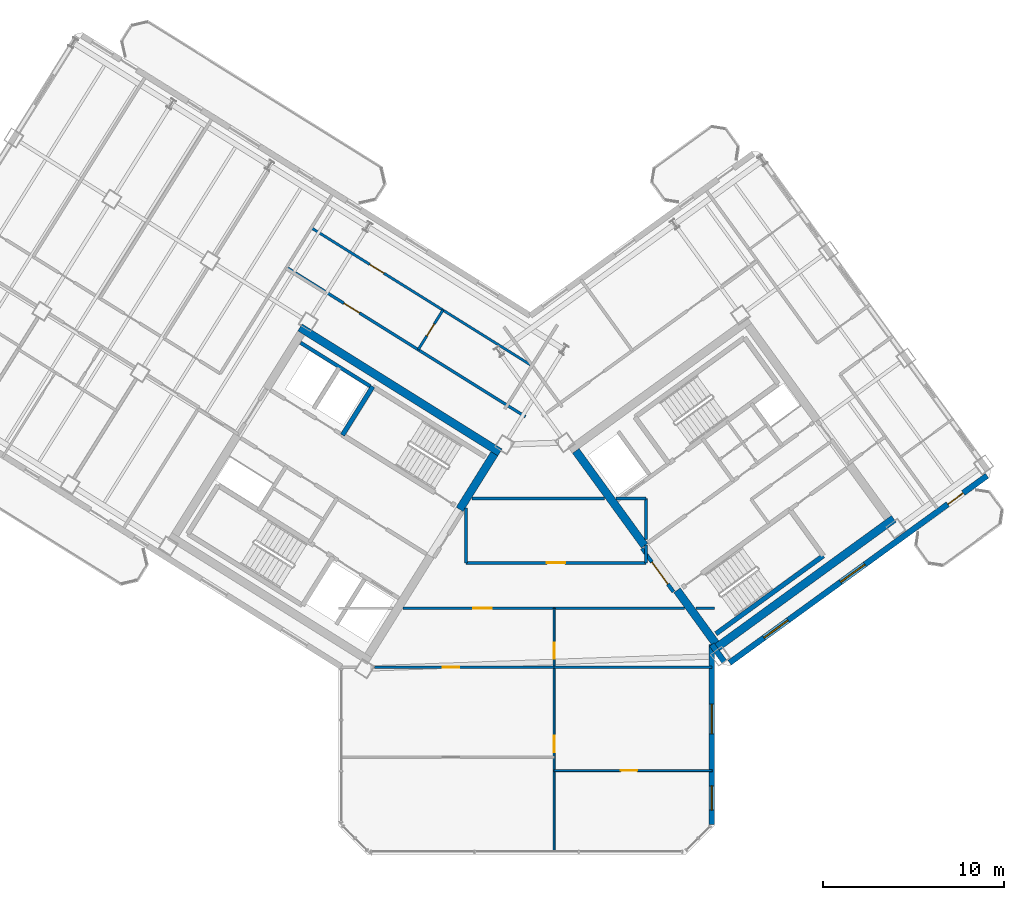
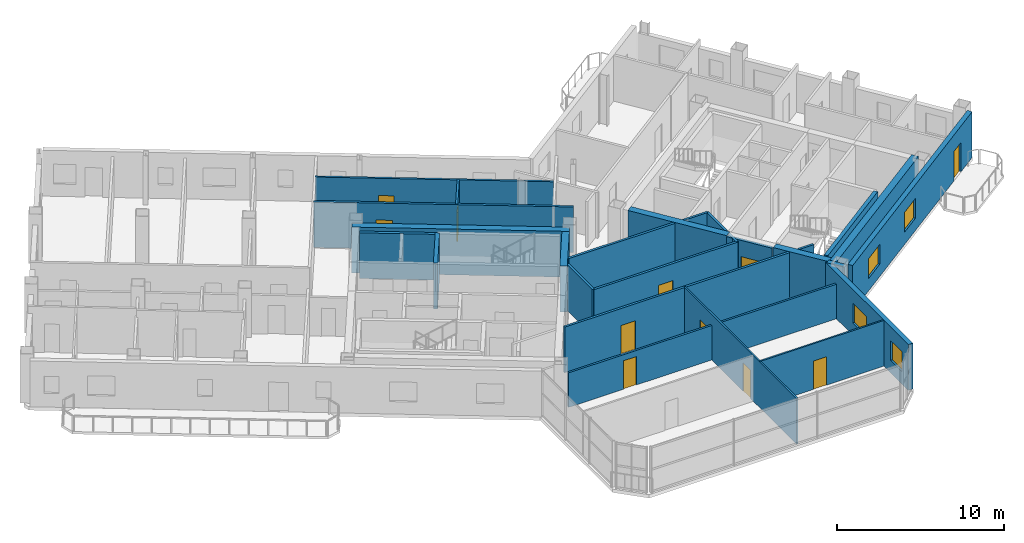
# One storey, part 13 of 20: 27 walls, 11 doors, 4 windows, 15 openings.
"""IFC4 building model written with IfcOpenShell, lengths in metres."""

from ifc_helpers import new_model, si_unit, direction, frame, frame_2d, origin, place, context, subcontext, project, spatial, rectangle, extrude, source, transform, mapped, material, layer, layer_set, type_object, element, fill, save


model = new_model("IFC4")

# Units and contexts
model_context = context("Model", 3, precision=1e-05, world=origin(), true_north=direction((0.0, 1.0)))
body_context = subcontext(model_context, "Body", "Model", "MODEL_VIEW")
ifc_project = project(units=[si_unit("LENGTHUNIT", "METRE"), si_unit("AREAUNIT", "SQUARE_METRE"), si_unit("VOLUMEUNIT", "CUBIC_METRE"), si_unit("PLANEANGLEUNIT", "RADIAN"), si_unit("MASSUNIT", "GRAM", prefix="KILO")], contexts=[model_context])

# Site, building, storey
site_placement = place(None, origin())
site = spatial("IfcSite", under=ifc_project, at=site_placement, CompositionType="ELEMENT")
building_placement = place(site_placement, origin())
building = spatial("IfcBuilding", under=site, at=building_placement, Name="Tlacorven Tower", CompositionType="ELEMENT")
storey_placement = place(building_placement, frame((0.0, 0.0, 211.199951171875)))
storey = spatial("IfcBuildingStorey", under=building, at=storey_placement, Name="L53", CompositionType="ELEMENT", Elevation=211.199951171875)

# Walls
ifc_material_1 = material(Name="Concrete C50/60", Category="concrete")
ifc_layer_1 = layer(ifc_material_1, 0.449951171875)
ifc_layer_set_1 = layer_set([ifc_layer_1], Name="Concrete C50/60")
wall_type_1 = type_object("IfcWallType", Name="WL-COR-450", PredefinedType="SHEAR", material=ifc_layer_set_1)
wall_1_placement = place(storey_placement, frame((40.53076171875, 24.036376953125, 0.0), z_axis=(0.0, 0.0, 1.0), x_axis=(-0.848048787466, 0.529918157905, 0.0)))
element("IfcWall", 1, at=wall_1_placement, inside=storey, type_object=wall_type_1, Name="L53 W core shear wall S1", PredefinedType="SHEAR", context=body_context, shape_type="SweptSolid", body=[
    extrude(rectangle(XDim=13.0400390625, YDim=0.449951171875, at=frame_2d((6.52001953125, 0.0))), origin(), (0.0, 0.0, 1.0), 3.35009765625),
])
wall_2_placement = place(storey_placement, frame((40.220703125, 23.96484375, 0.0), z_axis=(0.0, 0.0, 1.0), x_axis=(-0.529902075036, -0.848058836916, 0.0)))
element("IfcWall", 2, at=wall_2_placement, inside=storey, type_object=wall_type_1, Name="L53 W core end wall E1.1", PredefinedType="SHEAR", context=body_context, shape_type="SweptSolid", body=[
    extrude(rectangle(XDim=3.625, YDim=0.449951171875, at=frame_2d((1.8125, 0.0))), origin(), (0.0, 0.0, 1.0), 3.35009765625),
])
wall_3_placement = place(storey_placement, frame((52.3994140625, 13.169189453125, 0.0), z_axis=(0.0, 0.0, 1.0), x_axis=(0.809022352778, 0.587777877013, 0.0)))
element("IfcWall", 3, at=wall_3_placement, inside=storey, type_object=wall_type_1, Name="L53 E core shear wall S1", PredefinedType="SHEAR", context=body_context, shape_type="SweptSolid", body=[
    extrude(rectangle(XDim=12.239990234375, YDim=0.449951171875, at=frame_2d((6.1201171875, 0.0))), origin(), (0.0, 0.0, 1.0), 3.35009765625),
])
wall_4_placement = place(storey_placement, frame((52.44921875, 13.4833984375, 0.0), z_axis=(0.0, 0.0, 1.0), x_axis=(-0.587819244441, 0.808992296542, 0.0)))
element("IfcWall", 4, at=wall_4_placement, inside=storey, type_object=wall_type_1, Name="L53 E core end wall E1.1", PredefinedType="SHEAR", context=body_context, shape_type="SweptSolid", body=[
    extrude(rectangle(XDim=3.625, YDim=0.449951171875, at=frame_2d((1.8125, 0.0))), origin(), (0.0, 0.0, 1.0), 3.35009765625),
])
wall_5_placement = place(storey_placement, frame((48.525634765625, 18.883544921875, 0.0), z_axis=(0.0, 0.0, 1.0), x_axis=(-0.587774812919, 0.809024578921, 0.0)))
element("IfcWall", 5, at=wall_5_placement, inside=storey, type_object=wall_type_1, Name="L53 E core end wall E1.2", PredefinedType="SHEAR", context=body_context, shape_type="SweptSolid", body=[
    extrude(rectangle(XDim=6.47509765625, YDim=0.449951171875, at=frame_2d((3.237548828125, 0.0))), origin(), (0.0, 0.0, 1.0), 3.35009765625),
])

# Wall, opening, door
ifc_material_2 = material(Name="Gypsum plasterboard acoustic partition", Category="gypsum")
ifc_layer_2 = layer(ifc_material_2, 0.159912109375)
ifc_layer_set_2 = layer_set([ifc_layer_2], Name="Gypsum plasterboard acoustic partition")
wall_type_2 = type_object("IfcWallType", Name="WL-DEM-160", PredefinedType="PARTITIONING", material=ifc_layer_set_2)
wall_6_placement = place(storey_placement, frame((41.93603515625, 26.011962890625, 0.0), z_axis=(0.0, 0.0, 1.0), x_axis=(-0.848051154596, 0.529914369676, 0.0)))
wall_6 = element("IfcWall", 6, at=wall_6_placement, inside=storey, type_object=wall_type_2, Name="L53 partition 58", PredefinedType="PARTITIONING", context=body_context, shape_type="SweptSolid", body=[
    extrude(rectangle(XDim=15.56982421875, YDim=0.159912109375, at=frame_2d((7.784912109375, 0.0))), origin(), (0.0, 0.0, 1.0), 3.340087890625),
])
opening_1_placement = place(wall_6_placement, frame((10.830078125, 0.0, 0.0)))
opening_1 = element("IfcOpeningElement", 7, at=opening_1_placement, cuts=wall_6, Name="Opening D11", PredefinedType="OPENING", context=body_context, shape_type="SweptSolid", body=[
    extrude(rectangle(XDim=1.0, YDim=2.10009765625, at=frame_2d((0.5, 1.050048828125))), frame((0.0, 0.08984375, 0.0), z_axis=(0.0, -1.0, 0.0), x_axis=(1.0, 0.0, 0.0)), (0.0, 0.0, 1.0), 0.179931640625),
])
ifc_material_3 = material(Name="Fire-rated steel door assembly", Category="steel")
door_type_1 = type_object("IfcDoorType", Name="DR-FLT-FD60-1000", OperationType="NOTDEFINED", PredefinedType="DOOR", material=ifc_material_3)
shared_shape_1 = source(origin(), body_context, "Body", "SweptSolid", [
    extrude(rectangle(XDim=1.0, YDim=2.10009765625, at=frame_2d((0.5, 1.050048828125))), frame((0.0, 0.02490234375, 0.0), z_axis=(0.0, -1.0, 0.0), x_axis=(1.0, 0.0, 0.0)), (0.0, 0.0, 1.0), 0.050048828125),
])
door_1_placement = place(opening_1_placement, origin())
door_1 = element("IfcDoor", 8, at=door_1_placement, inside=storey, type_object=door_type_1, Name="L53 door 038", OperationType="SINGLE_SWING_RIGHT", OverallHeight=2.10009765625, OverallWidth=1.0, PredefinedType="DOOR", context=body_context, shape_type="MappedRepresentation", body=[
    mapped(shared_shape_1, transform((0.0, 0.0, 0.0), scale=1.0)),
])
fill(opening_1, door_1)

wall_7_placement = place(storey_placement, frame((35.178466796875, 15.419921875, 0.0), z_axis=(0.0, 0.0, 1.0), x_axis=(1.0, 0.0, 0.0)))
wall_7 = element("IfcWall", 9, at=wall_7_placement, inside=storey, type_object=wall_type_2, Name="L53 Knuckle Corridor South Wall", PredefinedType="PARTITIONING", context=body_context, shape_type="SweptSolid", body=[
    extrude(rectangle(XDim=15.55224609375, YDim=0.159912109375, at=frame_2d((7.776123046875, 0.0))), origin(), (0.0, 0.0, 1.0), 3.340087890625),
])
opening_2_placement = place(wall_7_placement, frame((3.884521484375, 0.0, 0.0)))
opening_2 = element("IfcOpeningElement", 10, at=opening_2_placement, cuts=wall_7, Name="Opening D11", PredefinedType="OPENING", context=body_context, shape_type="SweptSolid", body=[
    extrude(rectangle(XDim=1.0, YDim=2.10009765625, at=frame_2d((0.5, 1.050048828125))), frame((0.0, 0.08984375, 0.0), z_axis=(0.0, -1.0, 0.0), x_axis=(1.0, 0.0, 0.0)), (0.0, 0.0, 1.0), 0.179931640625),
])
door_2_placement = place(opening_2_placement, frame((1.0, 0.0, 0.0), z_axis=(0.0, 0.0, 1.0), x_axis=(-1.0, 0.0, 0.0)))
door_2 = element("IfcDoor", 11, at=door_2_placement, inside=storey, type_object=door_type_1, Name="L53 door 047", OperationType="SINGLE_SWING_LEFT", OverallHeight=2.10009765625, OverallWidth=1.0, PredefinedType="DOOR", context=body_context, shape_type="MappedRepresentation", body=[
    mapped(shared_shape_1, transform((0.0, 0.0, 0.0), scale=1.0)),
])
fill(opening_2, door_2)

# Wall
wall_8_placement = place(storey_placement, frame((51.353515625, 15.419921875, 0.0), z_axis=(0.0, 0.0, 1.0), x_axis=(1.0, 0.0, 0.0)))
element("IfcWall", 12, at=wall_8_placement, inside=storey, type_object=wall_type_2, Name="L53 Knuckle Corridor South Wall", PredefinedType="PARTITIONING", context=body_context, shape_type="SweptSolid", body=[
    extrude(rectangle(XDim=1.04638671875, YDim=0.159912109375, at=frame_2d((0.523193359375, 0.0))), origin(), (0.0, 0.0, 1.0), 3.340087890625),
])

# Wall, opening, door
wall_9_placement = place(storey_placement, frame((38.64990234375, 17.929931640625, 0.0), z_axis=(0.0, 0.0, 1.0), x_axis=(1.0, 0.0, 0.0)))
wall_9 = element("IfcWall", 13, at=wall_9_placement, inside=storey, type_object=wall_type_2, Name="L53 partition 64", PredefinedType="PARTITIONING", context=body_context, shape_type="SweptSolid", body=[
    extrude(rectangle(XDim=9.9501953125, YDim=0.159912109375, at=frame_2d((4.97509765625, 0.0))), origin(), (0.0, 0.0, 1.0), 3.340087890625),
])
opening_3_placement = place(wall_9_placement, frame((4.47509765625, 0.0, 0.0)))
opening_3 = element("IfcOpeningElement", 14, at=opening_3_placement, cuts=wall_9, Name="Opening D11", PredefinedType="OPENING", context=body_context, shape_type="SweptSolid", body=[
    extrude(rectangle(XDim=1.0, YDim=2.10009765625, at=frame_2d((0.5, 1.050048828125))), frame((0.0, 0.08984375, 0.0), z_axis=(0.0, -1.0, 0.0), x_axis=(1.0, 0.0, 0.0)), (0.0, 0.0, 1.0), 0.179931640625),
])
door_3_placement = place(opening_3_placement, origin())
door_3 = element("IfcDoor", 15, at=door_3_placement, inside=storey, type_object=door_type_1, Name="L53 door 041", OperationType="SINGLE_SWING_LEFT", OverallHeight=2.10009765625, OverallWidth=1.0, PredefinedType="DOOR", context=body_context, shape_type="MappedRepresentation", body=[
    mapped(shared_shape_1, transform((0.0, 0.0, 0.0), scale=1.0)),
])
fill(opening_3, door_3)

# Walls
wall_10_placement = place(storey_placement, frame((38.64990234375, 17.929931640625, 0.0), z_axis=(0.0, 0.0, 1.0), x_axis=(0.0, 1.0, 0.0)))
element("IfcWall", 16, at=wall_10_placement, inside=storey, type_object=wall_type_2, Name="L53 partition 65", PredefinedType="PARTITIONING", context=body_context, shape_type="SweptSolid", body=[
    extrude(rectangle(XDim=3.045654296875, YDim=0.159912109375, at=frame_2d((1.52294921875, 0.0))), origin(), (0.0, 0.0, 1.0), 3.340087890625),
])
wall_11_placement = place(storey_placement, frame((48.60009765625, 17.929931640625, 0.0), z_axis=(0.0, 0.0, 1.0), x_axis=(0.0, 1.0, 0.0)))
element("IfcWall", 17, at=wall_11_placement, inside=storey, type_object=wall_type_2, Name="L53 partition 66", PredefinedType="PARTITIONING", context=body_context, shape_type="SweptSolid", body=[
    extrude(rectangle(XDim=0.99267578125, YDim=0.159912109375, at=frame_2d((0.496337890625, 0.0))), origin(), (0.0, 0.0, 1.0), 3.340087890625),
])
wall_12_placement = place(storey_placement, frame((48.60009765625, 19.2099609375, 0.0), z_axis=(0.0, 0.0, 1.0), x_axis=(0.0, 1.0, 0.0)))
element("IfcWall", 18, at=wall_12_placement, inside=storey, type_object=wall_type_2, Name="L53 partition 66", PredefinedType="PARTITIONING", context=body_context, shape_type="SweptSolid", body=[
    extrude(rectangle(XDim=2.2900390625, YDim=0.159912109375, at=frame_2d((1.14501953125, 0.0))), origin(), (0.0, 0.0, 1.0), 3.340087890625),
])
wall_13_placement = place(storey_placement, frame((38.9775390625, 21.5, 0.0), z_axis=(0.0, 0.0, 1.0), x_axis=(1.0, 0.0, 0.0)))
element("IfcWall", 19, at=wall_13_placement, inside=storey, type_object=wall_type_2, Name="L53 partition 67", PredefinedType="PARTITIONING", context=body_context, shape_type="SweptSolid", body=[
    extrude(rectangle(XDim=7.335693359375, YDim=0.159912109375, at=frame_2d((3.66796875, 0.0))), origin(), (0.0, 0.0, 1.0), 3.340087890625),
])
wall_14_placement = place(storey_placement, frame((46.936279296875, 21.5, 0.0), z_axis=(0.0, 0.0, 1.0), x_axis=(1.0, 0.0, 0.0)))
element("IfcWall", 20, at=wall_14_placement, inside=storey, type_object=wall_type_2, Name="L53 partition 67", PredefinedType="PARTITIONING", context=body_context, shape_type="SweptSolid", body=[
    extrude(rectangle(XDim=1.663818359375, YDim=0.159912109375, at=frame_2d((0.83203125, 0.0))), origin(), (0.0, 0.0, 1.0), 3.340087890625),
])

# Wall, openings, door, windows
ifc_material_4 = material(Name="Precast concrete C45/55", Category="concrete")
ifc_layer_3 = layer(ifc_material_4, 0.320068359375)
ifc_layer_set_3 = layer_set([ifc_layer_3], Name="Precast concrete C45/55")
wall_type_3 = type_object("IfcWallType", Name="WL-EXT-320", PredefinedType="STANDARD", material=ifc_layer_set_3)
wall_15_placement = place(storey_placement, frame((67.45361328125, 22.746826171875, 0.0), z_axis=(0.0, 0.0, 1.0), x_axis=(-0.809021120468, -0.587779573171, 0.0)))
wall_15 = element("IfcWall", 21, at=wall_15_placement, inside=storey, type_object=wall_type_3, Name="L53 Masonry-Frame Recessed Facade Wall 6", PredefinedType="STANDARD", context=body_context, shape_type="SweptSolid", body=[
    extrude(rectangle(XDim=17.587646484375, YDim=0.320068359375, at=frame_2d((8.7939453125, 0.0))), origin(), (0.0, 0.0, 1.0), 3.35009765625),
])
opening_4_placement = place(wall_15_placement, frame((1.623779296875, 0.0, 0.0)))
opening_4 = element("IfcOpeningElement", 22, at=opening_4_placement, cuts=wall_15, Name="Opening D06", PredefinedType="OPENING", context=body_context, shape_type="SweptSolid", body=[
    extrude(rectangle(XDim=1.050048828125, YDim=2.14990234375, at=frame_2d((0.52490234375, 1.074951171875))), frame((0.0, 0.169921875, 0.0), z_axis=(0.0, -1.0, 0.0), x_axis=(1.0, 0.0, 0.0)), (0.0, 0.0, 1.0), 0.340087890625),
])
opening_5_placement = place(wall_15_placement, frame((8.34375, 0.0, 0.89990234375)))
opening_5 = element("IfcOpeningElement", 23, at=opening_5_placement, cuts=wall_15, Name="Opening WN07", PredefinedType="OPENING", context=body_context, shape_type="SweptSolid", body=[
    extrude(rectangle(XDim=1.64990234375, YDim=1.449951171875, at=frame_2d((0.824951171875, 0.72509765625))), frame((0.0, 0.169921875, 0.0), z_axis=(0.0, -1.0, 0.0), x_axis=(1.0, 0.0, 0.0)), (0.0, 0.0, 1.0), 0.340087890625),
])
opening_6_placement = place(wall_15_placement, frame((13.59375, 0.0, 0.89990234375)))
opening_6 = element("IfcOpeningElement", 24, at=opening_6_placement, cuts=wall_15, Name="Opening WN07", PredefinedType="OPENING", context=body_context, shape_type="SweptSolid", body=[
    extrude(rectangle(XDim=1.64990234375, YDim=1.449951171875, at=frame_2d((0.824951171875, 0.72509765625))), frame((0.0, 0.169921875, 0.0), z_axis=(0.0, -1.0, 0.0), x_axis=(1.0, 0.0, 0.0)), (0.0, 0.0, 1.0), 0.340087890625),
])
ifc_material_5 = material(Name="Powder-coated aluminium and timber door", Category="wood")
door_type_2 = type_object("IfcDoorType", Name="DR-EXT-BALC-1050", OperationType="NOTDEFINED", PredefinedType="DOOR", material=ifc_material_5)
shared_shape_2 = source(origin(), body_context, "Body", "SweptSolid", [
    extrude(rectangle(XDim=1.050048828125, YDim=2.14990234375, at=frame_2d((0.52490234375, 1.074951171875))), frame((0.0, 0.02490234375, 0.0), z_axis=(0.0, -1.0, 0.0), x_axis=(1.0, 0.0, 0.0)), (0.0, 0.0, 1.0), 0.050048828125),
])
door_4_placement = place(opening_4_placement, origin())
door_4 = element("IfcDoor", 25, at=door_4_placement, inside=storey, type_object=door_type_2, Name="L53 Outdoor Access Door BAL-L53-E-OUT", OperationType="SINGLE_SWING_LEFT", OverallHeight=2.14990234375, OverallWidth=1.050048828125, PredefinedType="DOOR", context=body_context, shape_type="MappedRepresentation", body=[
    mapped(shared_shape_2, transform((0.0, 0.0, 0.0), scale=1.0)),
])
fill(opening_4, door_4)
ifc_material_6 = material(Name="Dark solar low-E double glazing in anodised aluminium frame", Category="aluminium")
window_type_1 = type_object("IfcWindowType", Name="WN-APT-1650X1600", PartitioningType="SINGLE_PANEL", PredefinedType="WINDOW", material=ifc_material_6)
shared_shape_3 = source(origin(), body_context, "Body", "SweptSolid", [
    extrude(rectangle(XDim=1.64990234375, YDim=1.449951171875, at=frame_2d((0.824951171875, 0.72509765625))), frame((0.0, 0.030029296875, 0.0), z_axis=(0.0, -1.0, 0.0), x_axis=(1.0, 0.0, 0.0)), (0.0, 0.0, 1.0), 0.06005859375),
])
window_1_placement = place(opening_5_placement, origin())
window_1 = element("IfcWindow", 26, at=window_1_placement, inside=storey, type_object=window_type_1, Name="L53 Recessed Masonry-Frame Window L53-06.1", OverallHeight=1.449951171875, OverallWidth=1.64990234375, PartitioningType="SINGLE_PANEL", PredefinedType="WINDOW", context=body_context, shape_type="MappedRepresentation", body=[
    mapped(shared_shape_3, transform((0.0, 0.0, 0.0), scale=1.0)),
])
fill(opening_5, window_1)
window_2_placement = place(opening_6_placement, origin())
window_2 = element("IfcWindow", 27, at=window_2_placement, inside=storey, type_object=window_type_1, Name="L53 Recessed Masonry-Frame Window L53-06.2", OverallHeight=1.449951171875, OverallWidth=1.64990234375, PartitioningType="SINGLE_PANEL", PredefinedType="WINDOW", context=body_context, shape_type="MappedRepresentation", body=[
    mapped(shared_shape_3, transform((0.0, 0.0, 0.0), scale=1.0)),
])
fill(opening_6, window_2)

# Wall
wall_16_placement = place(storey_placement, frame((52.936767578125, 12.454833984375, 0.0), z_axis=(0.0, 0.0, 1.0), x_axis=(-0.587706324018, 0.809074333241, 0.0)))
element("IfcWall", 28, at=wall_16_placement, inside=storey, type_object=wall_type_3, Name="L53 Masonry-Frame Recessed Facade Wall 7", PredefinedType="STANDARD", context=body_context, shape_type="SweptSolid", body=[
    extrude(rectangle(XDim=1.185546875, YDim=0.320068359375, at=frame_2d((0.5927734375, 0.0))), origin(), (0.0, 0.0, 1.0), 3.35009765625),
])

# Wall, openings, windows
wall_17_placement = place(storey_placement, frame((52.239990234375, 13.4140625, 0.0), z_axis=(0.0, 0.0, 1.0), x_axis=(0.0, -1.0, 0.0)))
wall_17 = element("IfcWall", 29, at=wall_17_placement, inside=storey, type_object=wall_type_3, Name="L53 Masonry-Frame Recessed Facade Wall 8", PredefinedType="STANDARD", context=body_context, shape_type="SweptSolid", body=[
    extrude(rectangle(XDim=9.94775390625, YDim=0.320068359375, at=frame_2d((4.973876953125, 0.0))), origin(), (0.0, 0.0, 1.0), 3.35009765625),
])
opening_7_placement = place(wall_17_placement, frame((3.28662109375, 0.0, 0.89990234375)))
opening_7 = element("IfcOpeningElement", 30, at=opening_7_placement, cuts=wall_17, Name="Opening WN07", PredefinedType="OPENING", context=body_context, shape_type="SweptSolid", body=[
    extrude(rectangle(XDim=1.64990234375, YDim=1.449951171875, at=frame_2d((0.824951171875, 0.72509765625))), frame((0.0, 0.169921875, 0.0), z_axis=(0.0, -1.0, 0.0), x_axis=(1.0, 0.0, 0.0)), (0.0, 0.0, 1.0), 0.340087890625),
])
opening_8_placement = place(wall_17_placement, frame((7.808349609375, 0.0, 0.89990234375)))
opening_8 = element("IfcOpeningElement", 31, at=opening_8_placement, cuts=wall_17, Name="Opening WN08", PredefinedType="OPENING", context=body_context, shape_type="SweptSolid", body=[
    extrude(rectangle(XDim=1.35009765625, YDim=1.449951171875, at=frame_2d((0.675048828125, 0.72509765625))), frame((0.0, 0.169921875, 0.0), z_axis=(0.0, -1.0, 0.0), x_axis=(1.0, 0.0, 0.0)), (0.0, 0.0, 1.0), 0.340087890625),
])
window_3_placement = place(opening_7_placement, origin())
window_3 = element("IfcWindow", 32, at=window_3_placement, inside=storey, type_object=window_type_1, Name="L53 Recessed Masonry-Frame Window L53-08.1", OverallHeight=1.449951171875, OverallWidth=1.64990234375, PartitioningType="SINGLE_PANEL", PredefinedType="WINDOW", context=body_context, shape_type="MappedRepresentation", body=[
    mapped(shared_shape_3, transform((0.0, 0.0, 0.0), scale=1.0)),
])
fill(opening_7, window_3)
window_type_2 = type_object("IfcWindowType", Name="WN-APT-1350X1550", PartitioningType="SINGLE_PANEL", PredefinedType="WINDOW", material=ifc_material_6)
shared_shape_4 = source(origin(), body_context, "Body", "SweptSolid", [
    extrude(rectangle(XDim=1.35009765625, YDim=1.449951171875, at=frame_2d((0.675048828125, 0.72509765625))), frame((0.0, 0.030029296875, 0.0), z_axis=(0.0, -1.0, 0.0), x_axis=(1.0, 0.0, 0.0)), (0.0, 0.0, 1.0), 0.06005859375),
])
window_4_placement = place(opening_8_placement, origin())
window_4 = element("IfcWindow", 33, at=window_4_placement, inside=storey, type_object=window_type_2, Name="L53 Recessed Masonry-Frame Window L53-08.2", OverallHeight=1.449951171875, OverallWidth=1.35009765625, PartitioningType="SINGLE_PANEL", PredefinedType="WINDOW", context=body_context, shape_type="MappedRepresentation", body=[
    mapped(shared_shape_4, transform((0.0, 0.0, 0.0), scale=1.0)),
])
fill(opening_8, window_4)

# Wall, openings, doors
ifc_material_7 = material(Name="Gypsum plasterboard partition", Category="gypsum")
ifc_layer_4 = layer(ifc_material_7, 0.110107421875)
ifc_layer_set_4 = layer_set([ifc_layer_4], Name="Gypsum plasterboard partition")
wall_type_4 = type_object("IfcWallType", Name="WL-INT-110", PredefinedType="PARTITIONING", material=ifc_layer_set_4)
wall_18_placement = place(storey_placement, frame((43.52587890625, 1.9599609375, 0.0), z_axis=(0.0, 0.0, 1.0), x_axis=(0.0, 1.0, 0.0)))
wall_18 = element("IfcWall", 34, at=wall_18_placement, inside=storey, type_object=wall_type_4, Name="L53 partition 69", PredefinedType="PARTITIONING", context=body_context, shape_type="SweptSolid", body=[
    extrude(rectangle(XDim=13.4599609375, YDim=0.110107421875, at=frame_2d((6.72998046875, 0.0))), origin(), (0.0, 0.0, 1.0), 3.340087890625),
])
opening_9_placement = place(wall_18_placement, frame((5.5, 0.0, 0.0)))
opening_9 = element("IfcOpeningElement", 35, at=opening_9_placement, cuts=wall_18, Name="Opening D12", PredefinedType="OPENING", context=body_context, shape_type="SweptSolid", body=[
    extrude(rectangle(XDim=0.919921875, YDim=2.080078125, at=frame_2d((0.4599609375, 1.0400390625))), frame((0.0, 0.06494140625, 0.0), z_axis=(0.0, -1.0, 0.0), x_axis=(1.0, 0.0, 0.0)), (0.0, 0.0, 1.0), 0.130126953125),
])
opening_10_placement = place(wall_18_placement, frame((10.669921875, 0.0, 0.0)))
opening_10 = element("IfcOpeningElement", 36, at=opening_10_placement, cuts=wall_18, Name="Opening D13", PredefinedType="OPENING", context=body_context, shape_type="SweptSolid", body=[
    extrude(rectangle(XDim=0.8798828125, YDim=2.080078125, at=frame_2d((0.43994140625, 1.0400390625))), frame((0.0, 0.06494140625, 0.0), z_axis=(0.0, -1.0, 0.0), x_axis=(1.0, 0.0, 0.0)), (0.0, 0.0, 1.0), 0.130126953125),
])
door_type_3 = type_object("IfcDoorType", Name="DR-INT-WET-0880", OperationType="NOTDEFINED", PredefinedType="DOOR", material=ifc_material_5)
shared_shape_5 = source(origin(), body_context, "Body", "SweptSolid", [
    extrude(rectangle(XDim=0.8798828125, YDim=2.080078125, at=frame_2d((0.43994140625, 1.0400390625))), frame((0.0, 0.02490234375, 0.0), z_axis=(0.0, -1.0, 0.0), x_axis=(1.0, 0.0, 0.0)), (0.0, 0.0, 1.0), 0.050048828125),
])
door_5_placement = place(opening_10_placement, origin())
door_5 = element("IfcDoor", 37, at=door_5_placement, inside=storey, type_object=door_type_3, Name="L53 door 049", OperationType="SINGLE_SWING_LEFT", OverallHeight=2.080078125, OverallWidth=0.8798828125, PredefinedType="DOOR", context=body_context, shape_type="MappedRepresentation", body=[
    mapped(shared_shape_5, transform((0.0, 0.0, 0.0), scale=1.0)),
])
fill(opening_10, door_5)
door_type_4 = type_object("IfcDoorType", Name="DR-INT-ROOM-0920", OperationType="NOTDEFINED", PredefinedType="DOOR", material=ifc_material_5)
shared_shape_6 = source(origin(), body_context, "Body", "SweptSolid", [
    extrude(rectangle(XDim=0.919921875, YDim=2.080078125, at=frame_2d((0.4599609375, 1.0400390625))), frame((0.0, 0.02490234375, 0.0), z_axis=(0.0, -1.0, 0.0), x_axis=(1.0, 0.0, 0.0)), (0.0, 0.0, 1.0), 0.050048828125),
])
door_6_placement = place(opening_9_placement, origin())
door_6 = element("IfcDoor", 38, at=door_6_placement, inside=storey, type_object=door_type_4, Name="L53 door 045", OperationType="SINGLE_SWING_LEFT", OverallHeight=2.080078125, OverallWidth=0.919921875, PredefinedType="DOOR", context=body_context, shape_type="MappedRepresentation", body=[
    mapped(shared_shape_6, transform((0.0, 0.0, 0.0), scale=1.0)),
])
fill(opening_9, door_6)

# Wall, opening, door
wall_19_placement = place(storey_placement, frame((43.52587890625, 6.449951171875, 0.0), z_axis=(0.0, 0.0, 1.0), x_axis=(1.0, 0.0, 0.0)))
wall_19 = element("IfcWall", 39, at=wall_19_placement, inside=storey, type_object=wall_type_4, Name="L53 partition 73", PredefinedType="PARTITIONING", context=body_context, shape_type="SweptSolid", body=[
    extrude(rectangle(XDim=8.734130859375, YDim=0.110107421875, at=frame_2d((4.3671875, 0.0))), origin(), (0.0, 0.0, 1.0), 3.340087890625),
])
opening_11_placement = place(wall_19_placement, frame((3.677001953125, 0.0, 0.0)))
opening_11 = element("IfcOpeningElement", 40, at=opening_11_placement, cuts=wall_19, Name="Opening D12", PredefinedType="OPENING", context=body_context, shape_type="SweptSolid", body=[
    extrude(rectangle(XDim=0.919921875, YDim=2.080078125, at=frame_2d((0.4599609375, 1.0400390625))), frame((0.0, 0.06494140625, 0.0), z_axis=(0.0, -1.0, 0.0), x_axis=(1.0, 0.0, 0.0)), (0.0, 0.0, 1.0), 0.130126953125),
])
door_7_placement = place(opening_11_placement, origin())
door_7 = element("IfcDoor", 41, at=door_7_placement, inside=storey, type_object=door_type_4, Name="L53 door 046", OperationType="SINGLE_SWING_RIGHT", OverallHeight=2.080078125, OverallWidth=0.919921875, PredefinedType="DOOR", context=body_context, shape_type="MappedRepresentation", body=[
    mapped(shared_shape_6, transform((0.0, 0.0, 0.0), scale=1.0)),
])
fill(opening_11, door_7)

ifc_material_8 = material(Name="Moisture-resistant gypsum plumbing wall", Category="gypsum")
ifc_layer_5 = layer(ifc_material_8, 0.139892578125)
ifc_layer_set_5 = layer_set([ifc_layer_5], Name="Moisture-resistant gypsum plumbing wall")
wall_type_5 = type_object("IfcWallType", Name="WL-PLM-140", PredefinedType="PLUMBINGWALL", material=ifc_layer_set_5)
wall_20_placement = place(storey_placement, frame((42.226318359375, 28.872802734375, 0.0), z_axis=(0.0, 0.0, 1.0), x_axis=(-0.848049134363, 0.529917602752, 0.0)))
wall_20 = element("IfcWall", 42, at=wall_20_placement, inside=storey, type_object=wall_type_5, Name="L53 partition 60", PredefinedType="PLUMBINGWALL", context=body_context, shape_type="SweptSolid", body=[
    extrude(rectangle(XDim=14.300048828125, YDim=0.139892578125, at=frame_2d((7.14990234375, 0.0))), origin(), (0.0, 0.0, 1.0), 3.340087890625),
])
opening_12_placement = place(wall_20_placement, frame((9.570068359375, 0.0, 0.0)))
opening_12 = element("IfcOpeningElement", 43, at=opening_12_placement, cuts=wall_20, Name="Opening D12", PredefinedType="OPENING", context=body_context, shape_type="SweptSolid", body=[
    extrude(rectangle(XDim=0.919921875, YDim=2.080078125, at=frame_2d((0.4599609375, 1.0400390625))), frame((0.0, 0.080078125, 0.0), z_axis=(0.0, -1.0, 0.0), x_axis=(1.0, 0.0, 0.0)), (0.0, 0.0, 1.0), 0.159912109375),
])
door_8_placement = place(opening_12_placement, origin())
door_8 = element("IfcDoor", 44, at=door_8_placement, inside=storey, type_object=door_type_4, Name="L53 door 039", OperationType="SINGLE_SWING_LEFT", OverallHeight=2.080078125, OverallWidth=0.919921875, PredefinedType="DOOR", context=body_context, shape_type="MappedRepresentation", body=[
    mapped(shared_shape_6, transform((0.0, 0.0, 0.0), scale=1.0)),
])
fill(opening_12, door_8)

wall_21_placement = place(storey_placement, frame((37.37548828125, 31.904052734375, 0.0), z_axis=(0.0, 0.0, 1.0), x_axis=(-0.529913878929, -0.848051461244, 0.0)))
wall_21 = element("IfcWall", 45, at=wall_21_placement, inside=storey, type_object=wall_type_5, Name="L53 partition 61", PredefinedType="PLUMBINGWALL", context=body_context, shape_type="SweptSolid", body=[
    extrude(rectangle(XDim=2.580078125, YDim=0.139892578125, at=frame_2d((1.2900390625, 0.0))), origin(), (0.0, 0.0, 1.0), 3.340087890625),
])
opening_13_placement = place(wall_21_placement, frame((0.89990234375, 0.0, 0.0)))
opening_13 = element("IfcOpeningElement", 46, at=opening_13_placement, cuts=wall_21, Name="Opening D22", PredefinedType="OPENING", context=body_context, shape_type="SweptSolid", body=[
    extrude(rectangle(XDim=0.780029296875, YDim=2.050048828125, at=frame_2d((0.39013671875, 1.02490234375))), frame((0.0, 0.080078125, 0.0), z_axis=(0.0, -1.0, 0.0), x_axis=(1.0, 0.0, 0.0)), (0.0, 0.0, 1.0), 0.159912109375),
])
door_type_5 = type_object("IfcDoorType", Name="DR-INT-WET-0780", OperationType="NOTDEFINED", PredefinedType="DOOR", material=ifc_material_5)
shared_shape_7 = source(origin(), body_context, "Body", "SweptSolid", [
    extrude(rectangle(XDim=0.780029296875, YDim=2.050048828125, at=frame_2d((0.39013671875, 1.02490234375))), frame((0.0, 0.02490234375, 0.0), z_axis=(0.0, -1.0, 0.0), x_axis=(1.0, 0.0, 0.0)), (0.0, 0.0, 1.0), 0.050048828125),
])
door_9_placement = place(opening_13_placement, origin())
door_9 = element("IfcDoor", 47, at=door_9_placement, inside=storey, type_object=door_type_5, Name="L53 door 040", OperationType="SINGLE_SWING_RIGHT", OverallHeight=2.050048828125, OverallWidth=0.780029296875, PredefinedType="DOOR", context=body_context, shape_type="MappedRepresentation", body=[
    mapped(shared_shape_7, transform((0.0, 0.0, 0.0), scale=1.0)),
])
fill(opening_13, door_9)

wall_22_placement = place(storey_placement, frame((33.583984375, 12.169921875, 0.0), z_axis=(0.0, 0.0, 1.0), x_axis=(1.0, 0.0, 0.0)))
wall_22 = element("IfcWall", 48, at=wall_22_placement, inside=storey, type_object=wall_type_5, Name="L53 partition 70", PredefinedType="PLUMBINGWALL", context=body_context, shape_type="SweptSolid", body=[
    extrude(rectangle(XDim=9.94189453125, YDim=0.139892578125, at=frame_2d((4.970947265625, 0.0))), origin(), (0.0, 0.0, 1.0), 2.525146484375),
])
opening_14_placement = place(wall_22_placement, frame((3.76904296875, 0.0, 0.0)))
opening_14 = element("IfcOpeningElement", 49, at=opening_14_placement, cuts=wall_22, Name="Opening D12", PredefinedType="OPENING", context=body_context, shape_type="SweptSolid", body=[
    extrude(rectangle(XDim=0.919921875, YDim=2.080078125, at=frame_2d((0.4599609375, 1.0400390625))), frame((0.0, 0.080078125, 0.0), z_axis=(0.0, -1.0, 0.0), x_axis=(1.0, 0.0, 0.0)), (0.0, 0.0, 1.0), 0.159912109375),
])
door_10_placement = place(opening_14_placement, frame((0.919921875, 0.0, 0.0), z_axis=(0.0, 0.0, 1.0), x_axis=(-1.0, 0.0, 0.0)))
door_10 = element("IfcDoor", 50, at=door_10_placement, inside=storey, type_object=door_type_4, Name="L53 door 048", OperationType="SINGLE_SWING_RIGHT", OverallHeight=2.080078125, OverallWidth=0.919921875, PredefinedType="DOOR", context=body_context, shape_type="MappedRepresentation", body=[
    mapped(shared_shape_6, transform((0.0, 0.0, 0.0), scale=1.0)),
])
fill(opening_14, door_10)

# Walls
wall_23_placement = place(storey_placement, frame((43.52587890625, 12.169921875, 0.0), z_axis=(0.0, 0.0, 1.0), x_axis=(1.0, 0.0, 0.0)))
element("IfcWall", 51, at=wall_23_placement, inside=storey, type_object=wall_type_5, Name="L53 partition 71", PredefinedType="PLUMBINGWALL", context=body_context, shape_type="SweptSolid", body=[
    extrude(rectangle(XDim=8.734130859375, YDim=0.139892578125, at=frame_2d((4.3671875, 0.0))), origin(), (0.0, 0.0, 1.0), 2.525146484375),
])
ifc_material_9 = material(Name="Concrete C40/50", Category="concrete")
ifc_layer_6 = layer(ifc_material_9, 0.199951171875)
ifc_layer_set_6 = layer_set([ifc_layer_6], Name="Concrete C40/50")
wall_type_6 = type_object("IfcWallType", Name="WL-SHF-200", PredefinedType="STANDARD", material=ifc_layer_set_6)
wall_24_placement = place(storey_placement, frame((33.362548828125, 27.690185546875, 0.0), z_axis=(0.0, 0.0, 1.0), x_axis=(-0.84804957148, 0.529916903215, 0.0)))
element("IfcWall", 52, at=wall_24_placement, inside=storey, type_object=wall_type_6, Name="L53 partition 14", PredefinedType="STANDARD", context=body_context, shape_type="SweptSolid", body=[
    extrude(rectangle(XDim=4.547607421875, YDim=0.199951171875, at=frame_2d((2.27392578125, 0.0))), origin(), (0.0, 0.0, 1.0), 3.340087890625),
])

# Wall, opening, door
wall_25_placement = place(storey_placement, frame((50.119140625, 16.3330078125, 0.0), z_axis=(0.0, 0.0, 1.0), x_axis=(-0.587749856981, 0.809042709391, 0.0)))
wall_25 = element("IfcWall", 53, at=wall_25_placement, inside=storey, type_object=wall_type_6, Name="L53 partition 68", PredefinedType="STANDARD", context=body_context, shape_type="SweptSolid", body=[
    extrude(rectangle(XDim=2.9599609375, YDim=0.199951171875, at=frame_2d((1.47998046875, 0.0))), origin(), (0.0, 0.0, 1.0), 3.340087890625),
])
opening_15_placement = place(wall_25_placement, frame((0.530029296875, 0.0, 0.0)))
opening_15 = element("IfcOpeningElement", 54, at=opening_15_placement, cuts=wall_25, Name="Opening D10", PredefinedType="OPENING", context=body_context, shape_type="SweptSolid", body=[
    extrude(rectangle(XDim=1.5, YDim=2.14990234375, at=frame_2d((0.75, 1.074951171875))), frame((0.0, 0.10986328125, 0.0), z_axis=(0.0, -1.0, 0.0), x_axis=(1.0, 0.0, 0.0)), (0.0, 0.0, 1.0), 0.219970703125),
])
door_type_6 = type_object("IfcDoorType", Name="DR-LOB-FD60-1500", OperationType="DOUBLE_DOOR_SINGLE_SWING", PredefinedType="DOOR", material=ifc_material_3)
shared_shape_8 = source(origin(), body_context, "Body", "SweptSolid", [
    extrude(rectangle(XDim=1.5, YDim=2.14990234375, at=frame_2d((0.75, 1.074951171875))), frame((0.0, 0.02490234375, 0.0), z_axis=(0.0, -1.0, 0.0), x_axis=(1.0, 0.0, 0.0)), (0.0, 0.0, 1.0), 0.050048828125),
])
door_11_placement = place(opening_15_placement, frame((1.5, 0.0, 0.0), z_axis=(0.0, 0.0, 1.0), x_axis=(-1.0, 0.0, 0.0)))
door_11 = element("IfcDoor", 55, at=door_11_placement, inside=storey, type_object=door_type_6, Name="L53 door 043", OperationType="DOUBLE_DOOR_SINGLE_SWING", OverallHeight=2.14990234375, OverallWidth=1.5, PredefinedType="DOOR", context=body_context, shape_type="MappedRepresentation", body=[
    mapped(shared_shape_8, transform((0.0, 0.0, 0.0), scale=1.0)),
])
fill(opening_15, door_11)

# Walls
ifc_layer_7 = layer(ifc_material_1, 0.260009765625)
ifc_layer_set_7 = layer_set([ifc_layer_7], Name="Concrete C50/60")
wall_type_7 = type_object("IfcWallType", Name="WL-STW-260", PredefinedType="SHEAR", material=ifc_layer_set_7)
wall_26_placement = place(storey_placement, frame((33.496337890625, 27.677490234375, 0.0), z_axis=(0.0, 0.0, 1.0), x_axis=(-0.529908658664, -0.84805472316, 0.0)))
element("IfcWall", 56, at=wall_26_placement, inside=storey, type_object=wall_type_7, Name="L53 Stair W2 East Shear Wall", PredefinedType="SHEAR", context=body_context, shape_type="SweptSolid", body=[
    extrude(rectangle(XDim=3.16015625, YDim=0.260009765625, at=frame_2d((1.580078125, 0.0))), origin(), (0.0, 0.0, 1.0), 3.35009765625),
])
wall_27_placement = place(storey_placement, frame((52.47216796875, 14.01318359375, 0.0), z_axis=(0.0, 0.0, 1.0), x_axis=(0.809028366311, 0.587769599847, 0.0)))
element("IfcWall", 57, at=wall_27_placement, inside=storey, type_object=wall_type_7, Name="L53 Stair E2 Far Shear Wall", PredefinedType="SHEAR", context=body_context, shape_type="SweptSolid", body=[
    extrude(rectangle(XDim=7.330078125, YDim=0.260009765625, at=frame_2d((3.6650390625, 0.0))), origin(), (0.0, 0.0, 1.0), 3.35009765625),
])

save(model, "model.ifc")
